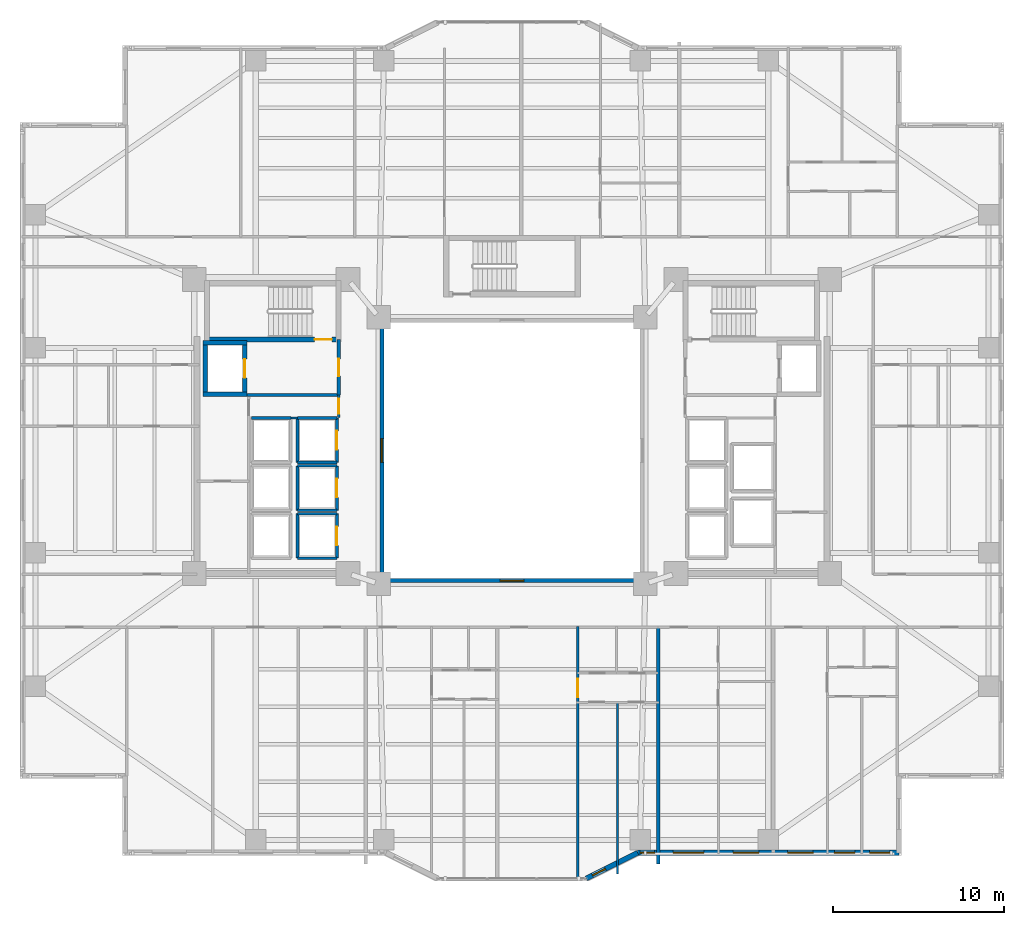
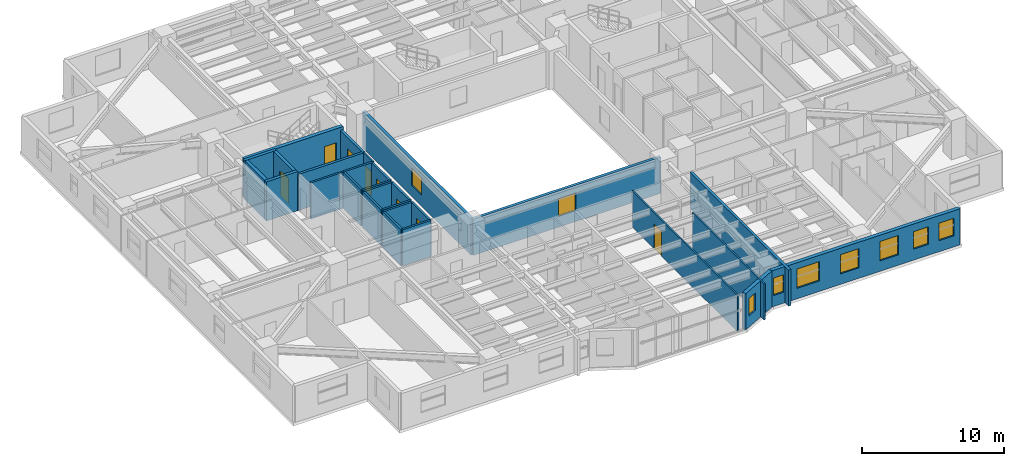
# One storey, part 11 of 21: 29 walls, 9 windows, 8 doors, 17 openings.
"""IFC4 building model written with IfcOpenShell, lengths in metres."""

from ifc_helpers import new_model, si_unit, direction, frame, frame_2d, origin, place, context, subcontext, project, spatial, rectangle, extrude, material, layer, layer_set, type_object, element, fill, save


model = new_model("IFC4")

# Units and contexts
model_context = context("Model", 3, precision=1e-05, world=origin(), true_north=direction((0.0, 1.0)))
body_context = subcontext(model_context, "Body", "Model", "MODEL_VIEW")
ifc_project = project(units=[si_unit("LENGTHUNIT", "METRE"), si_unit("AREAUNIT", "SQUARE_METRE"), si_unit("VOLUMEUNIT", "CUBIC_METRE"), si_unit("PLANEANGLEUNIT", "RADIAN"), si_unit("MASSUNIT", "GRAM", prefix="KILO")], contexts=[model_context])

# Site, building, storey
site_placement = place(None, origin())
site = spatial("IfcSite", under=ifc_project, at=site_placement, CompositionType="ELEMENT")
building_placement = place(site_placement, origin())
building = spatial("IfcBuilding", under=site, at=building_placement, Name="Tarnavaz Court Tower", CompositionType="ELEMENT")
storey_placement = place(building_placement, frame((0.0, 0.0, 47.449951171875)))
storey = spatial("IfcBuildingStorey", under=building, at=storey_placement, Name="L12", CompositionType="ELEMENT", Elevation=47.449951171875)

# Wall
ifc_material_1 = material(Name="Concrete C60/75", Category="concrete")
ifc_layer_1 = layer(ifc_material_1, 0.25)
ifc_layer_set_1 = layer_set([ifc_layer_1], Name="Concrete C60/75")
wall_type_1 = type_object("IfcWallType", Name="WL-CORE-250-C60", PredefinedType="SHEAR", material=ifc_layer_set_1)
wall_1_placement = place(storey_placement, frame((-17.949951171875, 3.175048828125, 0.0), z_axis=(0.0, 0.0, 1.0), x_axis=(0.0, 1.0, 0.0)))
element("IfcWall", 1, at=wall_1_placement, inside=storey, type_object=wall_type_1, Name="L12 Lift FL-W1 Shaft Wall 017", PredefinedType="SHEAR", context=body_context, shape_type="SweptSolid", body=[
    extrude(rectangle(XDim=3.25, YDim=0.25, at=frame_2d((1.625, 0.0))), origin(), (0.0, 0.0, 1.0), 3.35009765625),
])

# Wall, opening, door
wall_2_placement = place(storey_placement, frame((-15.64990234375, 3.175048828125, 0.0), z_axis=(0.0, 0.0, 1.0), x_axis=(0.0, 1.0, 0.0)))
wall_2 = element("IfcWall", 2, at=wall_2_placement, inside=storey, type_object=wall_type_1, Name="L12 Lift FL-W1 Shaft Wall 018", PredefinedType="SHEAR", context=body_context, shape_type="SweptSolid", body=[
    extrude(rectangle(XDim=3.25, YDim=0.25, at=frame_2d((1.625, 0.0))), origin(), (0.0, 0.0, 1.0), 3.35009765625),
])
opening_1_placement = place(wall_2_placement, frame((1.074951171875, 0.0, 0.0)))
opening_1 = element("IfcOpeningElement", 3, at=opening_1_placement, cuts=wall_2, Name="Opening LD1", PredefinedType="OPENING", context=body_context, shape_type="SweptSolid", body=[
    extrude(rectangle(XDim=1.10009765625, YDim=2.14990234375, at=frame_2d((0.550048828125, 1.074951171875))), frame((0.0, 0.135009765625, 0.0), z_axis=(0.0, -1.0, 0.0), x_axis=(1.0, 0.0, 0.0)), (0.0, 0.0, 1.0), 0.27001953125),
])
ifc_material_2 = material(Name="Stainless Steel", Category="steel")
door_type_1 = type_object("IfcDoorType", Name="DR-LD-1100", OperationType="NOTDEFINED", PredefinedType="DOOR", material=ifc_material_2)
door_1_placement = place(opening_1_placement, origin())
door_1 = element("IfcDoor", 4, at=door_1_placement, inside=storey, type_object=door_type_1, Name="L12 Lift Landing Door LD-FL-W1", OperationType="SLIDING_TO_LEFT", OverallHeight=2.14990234375, OverallWidth=1.10009765625, PredefinedType="DOOR", context=body_context, shape_type="SweptSolid", body=[
    extrude(rectangle(XDim=1.10009765625, YDim=2.14990234375, at=frame_2d((0.550048828125, 1.074951171875))), frame((0.0, 0.02490234375, 0.0), z_axis=(0.0, -1.0, 0.0), x_axis=(1.0, 0.0, 0.0)), (0.0, 0.0, 1.0), 0.050048828125),
])
fill(opening_1, door_1)

# Walls
for number, where, z_axis, x_axis, name in (
    (5, (-18.074951171875, 3.300048828125, 0.0), (0.0, 0.0, 1.0), (1.0, 0.0, 0.0), "L12 Lift FL-W1 Shaft Wall 019"),
    (6, (-18.074951171875, 6.300048828125, 0.0), (0.0, 0.0, 1.0), (1.0, 0.0, 0.0), "L12 Lift FL-W1 Shaft Wall 020"),
):
    element("IfcWall", number, at=place(storey_placement, frame(where, z_axis=z_axis, x_axis=x_axis)), inside=storey, type_object=wall_type_1, Name=name, PredefinedType="SHEAR", context=body_context, shape_type="SweptSolid", body=[
        extrude(rectangle(XDim=2.550048828125, YDim=0.25, at=frame_2d((1.27490234375, 0.0))), origin(), (0.0, 0.0, 1.0), 3.35009765625),
    ])

# Wall, opening, door
ifc_layer_2 = layer(ifc_material_1, 0.300048828125)
ifc_layer_set_2 = layer_set([ifc_layer_2], Name="Concrete C60/75")
wall_type_2 = type_object("IfcWallType", Name="WL-CORE-300-C60", PredefinedType="SHEAR", material=ifc_layer_set_2)
wall_3_placement = place(storey_placement, frame((-18.0, 6.5, 0.0), z_axis=(0.0, 0.0, 1.0), x_axis=(1.0, 0.0, 0.0)))
wall_3 = element("IfcWall", 7, at=wall_3_placement, inside=storey, type_object=wall_type_2, Name="L12 West Stair Core Wall 002", PredefinedType="SHEAR", context=body_context, shape_type="SweptSolid", body=[
    extrude(rectangle(XDim=8.0, YDim=0.300048828125, at=frame_2d((4.0, 0.0))), origin(), (0.0, 0.0, 1.0), 3.35009765625),
])
opening_2_placement = place(wall_3_placement, frame((6.449951171875, 0.0, 0.0)))
opening_2 = element("IfcOpeningElement", 8, at=opening_2_placement, cuts=wall_3, Name="Opening D01", PredefinedType="OPENING", context=body_context, shape_type="SweptSolid", body=[
    extrude(rectangle(XDim=1.0, YDim=2.14990234375, at=frame_2d((0.5, 1.074951171875))), frame((0.0, 0.159912109375, 0.0), z_axis=(0.0, -1.0, 0.0), x_axis=(1.0, 0.0, 0.0)), (0.0, 0.0, 1.0), 0.320068359375),
])
ifc_material_3 = material(Name="Fire-Rated Hardwood Timber Core", Category="wood")
door_type_2 = type_object("IfcDoorType", Name="DR-FD90-1000", OperationType="NOTDEFINED", PredefinedType="DOOR", material=ifc_material_3)
door_2_placement = place(opening_2_placement, origin())
door_2 = element("IfcDoor", 9, at=door_2_placement, inside=storey, type_object=door_type_2, Name="L12 Stair ST-W1 Exit Door", OperationType="SINGLE_SWING_LEFT", OverallHeight=2.14990234375, OverallWidth=1.0, PredefinedType="DOOR", context=body_context, shape_type="SweptSolid", body=[
    extrude(rectangle(XDim=1.0, YDim=2.14990234375, at=frame_2d((0.5, 1.074951171875))), frame((0.0, 0.02490234375, 0.0), z_axis=(0.0, -1.0, 0.0), x_axis=(1.0, 0.0, 0.0)), (0.0, 0.0, 1.0), 0.050048828125),
])
fill(opening_2, door_2)

# Wall, openings, windows
ifc_material_4 = material(Name="Precast Concrete C40/50", Category="concrete")
ifc_layer_3 = layer(ifc_material_4, 0.300048828125)
ifc_layer_set_3 = layer_set([ifc_layer_3], Name="Precast Concrete C40/50")
wall_type_3 = type_object("IfcWallType", Name="WL-EXT-300", PredefinedType="SOLIDWALL", material=ifc_layer_set_3)
wall_4_placement = place(storey_placement, frame((22.64990234375, -23.550048828125, 0.0), z_axis=(0.0, 0.0, 1.0), x_axis=(-1.0, 0.0, 0.0)))
wall_4 = element("IfcWall", 10, at=wall_4_placement, inside=storey, type_object=wall_type_3, Name="L12 Exterior Terracotta Facade Wall 15", PredefinedType="SOLIDWALL", context=body_context, shape_type="SweptSolid", body=[
    extrude(rectangle(XDim=15.2998046875, YDim=0.300048828125, at=frame_2d((7.64990234375, 0.0))), origin(), (0.0, 0.0, 1.0), 3.10009765625),
])
opening_3_placement = place(wall_4_placement, frame((0.5087890625, 0.0, 0.949951171875)))
opening_3 = element("IfcOpeningElement", 11, at=opening_3_placement, cuts=wall_4, Name="Opening W05", PredefinedType="OPENING", context=body_context, shape_type="SweptSolid", body=[
    extrude(rectangle(XDim=1.199951171875, YDim=1.5, at=frame_2d((0.60009765625, 0.75))), frame((0.0, 0.159912109375, 0.0), z_axis=(0.0, -1.0, 0.0), x_axis=(1.0, 0.0, 0.0)), (0.0, 0.0, 1.0), 0.320068359375),
])
opening_4_placement = place(wall_4_placement, frame((2.58544921875, 0.0, 0.949951171875)))
opening_4 = element("IfcOpeningElement", 12, at=opening_4_placement, cuts=wall_4, Name="Opening W05", PredefinedType="OPENING", context=body_context, shape_type="SweptSolid", body=[
    extrude(rectangle(XDim=1.199951171875, YDim=1.5, at=frame_2d((0.60009765625, 0.75))), frame((0.0, 0.159912109375, 0.0), z_axis=(0.0, -1.0, 0.0), x_axis=(1.0, 0.0, 0.0)), (0.0, 0.0, 1.0), 0.320068359375),
])
opening_5_placement = place(wall_4_placement, frame((5.018798828125, 0.0, 0.89990234375)))
opening_5 = element("IfcOpeningElement", 13, at=opening_5_placement, cuts=wall_4, Name="Opening W03", PredefinedType="OPENING", context=body_context, shape_type="SweptSolid", body=[
    extrude(rectangle(XDim=1.5, YDim=1.64990234375, at=frame_2d((0.75, 0.824951171875))), frame((0.0, 0.159912109375, 0.0), z_axis=(0.0, -1.0, 0.0), x_axis=(1.0, 0.0, 0.0)), (0.0, 0.0, 1.0), 0.320068359375),
])
opening_6_placement = place(wall_4_placement, frame((8.204345703125, 0.0, 0.89990234375)))
opening_6 = element("IfcOpeningElement", 14, at=opening_6_placement, cuts=wall_4, Name="Opening W03", PredefinedType="OPENING", context=body_context, shape_type="SweptSolid", body=[
    extrude(rectangle(XDim=1.5, YDim=1.64990234375, at=frame_2d((0.75, 0.824951171875))), frame((0.0, 0.159912109375, 0.0), z_axis=(0.0, -1.0, 0.0), x_axis=(1.0, 0.0, 0.0)), (0.0, 0.0, 1.0), 0.320068359375),
])
opening_7_placement = place(wall_4_placement, frame((11.415283203125, 0.0, 0.89990234375)))
opening_7 = element("IfcOpeningElement", 15, at=opening_7_placement, cuts=wall_4, Name="Opening W01", PredefinedType="OPENING", context=body_context, shape_type="SweptSolid", body=[
    extrude(rectangle(XDim=1.800048828125, YDim=1.64990234375, at=frame_2d((0.89990234375, 0.824951171875))), frame((0.0, 0.159912109375, 0.0), z_axis=(0.0, -1.0, 0.0), x_axis=(1.0, 0.0, 0.0)), (0.0, 0.0, 1.0), 0.320068359375),
])
opening_8_placement = place(wall_4_placement, frame((14.30322265625, 0.0, 0.949951171875)))
opening_8 = element("IfcOpeningElement", 16, at=opening_8_placement, cuts=wall_4, Name="Opening W15", PredefinedType="OPENING", context=body_context, shape_type="SweptSolid", body=[
    extrude(rectangle(XDim=0.85009765625, YDim=1.5, at=frame_2d((0.425048828125, 0.75))), frame((0.0, 0.159912109375, 0.0), z_axis=(0.0, -1.0, 0.0), x_axis=(1.0, 0.0, 0.0)), (0.0, 0.0, 1.0), 0.320068359375),
])
ifc_material_5 = material(Name="Double-Glazed Solar Low-E Glass", Category="glass")
window_type_1 = type_object("IfcWindowType", Name="WN-APT-1200", PartitioningType="SINGLE_PANEL", PredefinedType="WINDOW", material=ifc_material_5)
window_1_placement = place(opening_3_placement, origin())
window_1 = element("IfcWindow", 17, at=window_1_placement, inside=storey, type_object=window_type_1, Name="L12 Flat 04 Bedroom 2 Window", OverallHeight=1.5, OverallWidth=1.199951171875, PartitioningType="SINGLE_PANEL", PredefinedType="WINDOW", context=body_context, shape_type="SweptSolid", body=[
    extrude(rectangle(XDim=1.199951171875, YDim=1.5, at=frame_2d((0.60009765625, 0.75))), frame((0.0, 0.030029296875, 0.0), z_axis=(0.0, -1.0, 0.0), x_axis=(1.0, 0.0, 0.0)), (0.0, 0.0, 1.0), 0.06005859375),
])
fill(opening_3, window_1)
window_2_placement = place(opening_4_placement, origin())
window_2 = element("IfcWindow", 18, at=window_2_placement, inside=storey, type_object=window_type_1, Name="L12 Flat 04 Principal Bedroom Window", OverallHeight=1.5, OverallWidth=1.199951171875, PartitioningType="SINGLE_PANEL", PredefinedType="WINDOW", context=body_context, shape_type="SweptSolid", body=[
    extrude(rectangle(XDim=1.199951171875, YDim=1.5, at=frame_2d((0.60009765625, 0.75))), frame((0.0, 0.030029296875, 0.0), z_axis=(0.0, -1.0, 0.0), x_axis=(1.0, 0.0, 0.0)), (0.0, 0.0, 1.0), 0.06005859375),
])
fill(opening_4, window_2)
window_type_2 = type_object("IfcWindowType", Name="WN-APT-1500", PartitioningType="DOUBLE_PANEL_VERTICAL", PredefinedType="WINDOW", material=ifc_material_5)
window_3_placement = place(opening_5_placement, origin())
window_3 = element("IfcWindow", 19, at=window_3_placement, inside=storey, type_object=window_type_2, Name="L12 Flat 04 Living and Dining Room Window", OverallHeight=1.64990234375, OverallWidth=1.5, PartitioningType="SINGLE_PANEL", PredefinedType="WINDOW", context=body_context, shape_type="SweptSolid", body=[
    extrude(rectangle(XDim=1.5, YDim=1.64990234375, at=frame_2d((0.75, 0.824951171875))), frame((0.0, 0.030029296875, 0.0), z_axis=(0.0, -1.0, 0.0), x_axis=(1.0, 0.0, 0.0)), (0.0, 0.0, 1.0), 0.06005859375),
])
fill(opening_5, window_3)
window_4_placement = place(opening_6_placement, origin())
window_4 = element("IfcWindow", 20, at=window_4_placement, inside=storey, type_object=window_type_2, Name="L12 Flat 03 Kitchen Window", OverallHeight=1.64990234375, OverallWidth=1.5, PartitioningType="SINGLE_PANEL", PredefinedType="WINDOW", context=body_context, shape_type="SweptSolid", body=[
    extrude(rectangle(XDim=1.5, YDim=1.64990234375, at=frame_2d((0.75, 0.824951171875))), frame((0.0, 0.030029296875, 0.0), z_axis=(0.0, -1.0, 0.0), x_axis=(1.0, 0.0, 0.0)), (0.0, 0.0, 1.0), 0.06005859375),
])
fill(opening_6, window_4)
window_type_3 = type_object("IfcWindowType", Name="WN-APT-1800", PartitioningType="DOUBLE_PANEL_VERTICAL", PredefinedType="WINDOW", material=ifc_material_5)
window_5_placement = place(opening_7_placement, origin())
window_5 = element("IfcWindow", 21, at=window_5_placement, inside=storey, type_object=window_type_3, Name="L12 Flat 03 Studio Living and Sleeping Room Window", OverallHeight=1.64990234375, OverallWidth=1.800048828125, PartitioningType="SINGLE_PANEL", PredefinedType="WINDOW", context=body_context, shape_type="SweptSolid", body=[
    extrude(rectangle(XDim=1.800048828125, YDim=1.64990234375, at=frame_2d((0.89990234375, 0.824951171875))), frame((0.0, 0.030029296875, 0.0), z_axis=(0.0, -1.0, 0.0), x_axis=(1.0, 0.0, 0.0)), (0.0, 0.0, 1.0), 0.06005859375),
])
fill(opening_7, window_5)
window_type_4 = type_object("IfcWindowType", Name="WN-APT-850", PartitioningType="SINGLE_PANEL", PredefinedType="WINDOW", material=ifc_material_5)
window_6_placement = place(opening_8_placement, origin())
window_6 = element("IfcWindow", 22, at=window_6_placement, inside=storey, type_object=window_type_4, Name="L12 Flat 06 Bedroom 2 Window", OverallHeight=1.5, OverallWidth=0.85009765625, PartitioningType="SINGLE_PANEL", PredefinedType="WINDOW", context=body_context, shape_type="SweptSolid", body=[
    extrude(rectangle(XDim=0.85009765625, YDim=1.5, at=frame_2d((0.425048828125, 0.75))), frame((0.0, 0.030029296875, 0.0), z_axis=(0.0, -1.0, 0.0), x_axis=(1.0, 0.0, 0.0)), (0.0, 0.0, 1.0), 0.06005859375),
])
fill(opening_8, window_6)

# Wall, opening, window
wall_5_placement = place(storey_placement, frame((7.35009765625, -23.550048828125, 0.0), z_axis=(0.0, 0.0, 1.0), x_axis=(-0.894427191, -0.4472135955, 0.0)))
wall_5 = element("IfcWall", 23, at=wall_5_placement, inside=storey, type_object=wall_type_3, Name="L12 Exterior Terracotta Facade Wall 16", PredefinedType="SOLIDWALL", context=body_context, shape_type="SweptSolid", body=[
    extrude(rectangle(XDim=3.35400390625, YDim=0.300048828125, at=frame_2d((1.677001953125, 0.0))), origin(), (0.0, 0.0, 1.0), 3.10009765625),
])
opening_9_placement = place(wall_5_placement, frame((2.102783203125, 0.0, 0.949951171875)))
opening_9 = element("IfcOpeningElement", 24, at=opening_9_placement, cuts=wall_5, Name="Opening W15", PredefinedType="OPENING", context=body_context, shape_type="SweptSolid", body=[
    extrude(rectangle(XDim=0.85009765625, YDim=1.5, at=frame_2d((0.425048828125, 0.75))), frame((0.0, 0.159912109375, 0.0), z_axis=(0.0, -1.0, 0.0), x_axis=(1.0, 0.0, 0.0)), (0.0, 0.0, 1.0), 0.320068359375),
])
window_7_placement = place(opening_9_placement, origin())
window_7 = element("IfcWindow", 25, at=window_7_placement, inside=storey, type_object=window_type_4, Name="L12 Flat 06 Principal Bedroom Window", OverallHeight=1.5, OverallWidth=0.85009765625, PartitioningType="SINGLE_PANEL", PredefinedType="WINDOW", context=body_context, shape_type="SweptSolid", body=[
    extrude(rectangle(XDim=0.85009765625, YDim=1.5, at=frame_2d((0.425048828125, 0.75))), frame((0.0, 0.030029296875, 0.0), z_axis=(0.0, -1.0, 0.0), x_axis=(1.0, 0.0, 0.0)), (0.0, 0.0, 1.0), 0.06005859375),
])
fill(opening_9, window_7)

# Wall
ifc_material_6 = material(Name="Autoclaved Aerated Concrete Blockwork", Category="masonry")
ifc_layer_4 = layer(ifc_material_6, 0.199951171875)
ifc_layer_set_4 = layer_set([ifc_layer_4], Name="Autoclaved Aerated Concrete Blockwork")
wall_type_4 = type_object("IfcWallType", Name="WL-FIRE-200", PredefinedType="SOLIDWALL", material=ifc_layer_set_4)
wall_6_placement = place(storey_placement, frame((-15.550048828125, 3.25, 0.0), z_axis=(0.0, 0.0, 1.0), x_axis=(1.0, 0.0, 0.0)))
element("IfcWall", 26, at=wall_6_placement, inside=storey, type_object=wall_type_4, Name="L12 West Firefighting Lobby Wall 013", PredefinedType="SOLIDWALL", context=body_context, shape_type="SweptSolid", body=[
    extrude(rectangle(XDim=5.400146484375, YDim=0.199951171875, at=frame_2d((2.7001953125, 0.0))), origin(), (0.0, 0.0, 1.0), 3.10009765625),
])

# Wall, opening, door
wall_7_placement = place(storey_placement, frame((-10.14990234375, 3.25, 0.0), z_axis=(0.0, 0.0, 1.0), x_axis=(0.0, 1.0, 0.0)))
wall_7 = element("IfcWall", 27, at=wall_7_placement, inside=storey, type_object=wall_type_4, Name="L12 West Firefighting Lobby Wall 014", PredefinedType="SOLIDWALL", context=body_context, shape_type="SweptSolid", body=[
    extrude(rectangle(XDim=3.25, YDim=0.199951171875, at=frame_2d((1.625, 0.0))), origin(), (0.0, 0.0, 1.0), 3.10009765625),
])
opening_10_placement = place(wall_7_placement, frame((1.10009765625, 0.0, 0.0)))
opening_10 = element("IfcOpeningElement", 28, at=opening_10_placement, cuts=wall_7, Name="Opening D05", PredefinedType="OPENING", context=body_context, shape_type="SweptSolid", body=[
    extrude(rectangle(XDim=1.02001953125, YDim=2.14990234375, at=frame_2d((0.510009765625, 1.074951171875))), frame((0.0, 0.10986328125, 0.0), z_axis=(0.0, -1.0, 0.0), x_axis=(1.0, 0.0, 0.0)), (0.0, 0.0, 1.0), 0.219970703125),
])
door_type_3 = type_object("IfcDoorType", Name="DR-FD60-1000", OperationType="NOTDEFINED", PredefinedType="DOOR", material=ifc_material_3)
door_3_placement = place(opening_10_placement, origin())
door_3 = element("IfcDoor", 29, at=door_3_placement, inside=storey, type_object=door_type_3, Name="L12 West Firefighting Lobby Door", OperationType="SINGLE_SWING_RIGHT", OverallHeight=2.14990234375, OverallWidth=1.02001953125, PredefinedType="DOOR", context=body_context, shape_type="SweptSolid", body=[
    extrude(rectangle(XDim=1.02001953125, YDim=2.14990234375, at=frame_2d((0.510009765625, 1.074951171875))), frame((0.0, 0.02490234375, 0.0), z_axis=(0.0, -1.0, 0.0), x_axis=(1.0, 0.0, 0.0)), (0.0, 0.0, 1.0), 0.050048828125),
])
fill(opening_10, door_3)

# Wall
wall_8_placement = place(storey_placement, frame((8.550048828125, -24.2041015625, 0.0), z_axis=(0.0, 0.0, 1.0), x_axis=(0.0, 1.0, 0.0)))
element("IfcWall", 30, at=wall_8_placement, inside=storey, type_object=wall_type_4, Name="L12 Party Wall 114", PredefinedType="SOLIDWALL", context=body_context, shape_type="SweptSolid", body=[
    extrude(rectangle(XDim=13.85400390625, YDim=0.199951171875, at=frame_2d((6.927001953125, 0.0))), origin(), (0.0, 0.0, 1.0), 3.10009765625),
])

# Wall, opening, door
ifc_material_7 = material(Name="Moisture-Resistant Gypsum Board Partition", Category="masonry")
ifc_layer_5 = layer(ifc_material_7, 0.1201171875)
ifc_layer_set_5 = layer_set([ifc_layer_5], Name="Moisture-Resistant Gypsum Board Partition")
wall_type_5 = type_object("IfcWallType", Name="WL-PART-120", PredefinedType="PARTITIONING", material=ifc_layer_set_5)
wall_9_placement = place(storey_placement, frame((3.847900390625, -25.080078125, 0.0), z_axis=(0.0, 0.0, 1.0), x_axis=(0.0, 1.0, 0.0)))
wall_9 = element("IfcWall", 31, at=wall_9_placement, inside=storey, type_object=wall_type_5, Name="L12 Interior Partition 122", PredefinedType="PARTITIONING", context=body_context, shape_type="SweptSolid", body=[
    extrude(rectangle(XDim=14.7900390625, YDim=0.1201171875, at=frame_2d((7.39501953125, 0.0))), origin(), (0.0, 0.0, 1.0), 3.10009765625),
])
opening_11_placement = place(wall_9_placement, frame((10.625, 0.0, 0.0)))
opening_11 = element("IfcOpeningElement", 32, at=opening_11_placement, cuts=wall_9, Name="Opening D12", PredefinedType="OPENING", context=body_context, shape_type="SweptSolid", body=[
    extrude(rectangle(XDim=1.080078125, YDim=2.14990234375, at=frame_2d((0.5400390625, 1.074951171875))), frame((0.0, 0.070068359375, 0.0), z_axis=(0.0, -1.0, 0.0), x_axis=(1.0, 0.0, 0.0)), (0.0, 0.0, 1.0), 0.14013671875),
])
ifc_material_8 = material(Name="Engineered Oak Timber", Category="wood")
door_type_4 = type_object("IfcDoorType", Name="DR-INT-1100", OperationType="NOTDEFINED", PredefinedType="DOOR", material=ifc_material_8)
door_4_placement = place(opening_11_placement, origin())
door_4 = element("IfcDoor", 33, at=door_4_placement, inside=storey, type_object=door_type_4, Name="L12 Flat 06 Foyer Door", OperationType="SINGLE_SWING_LEFT", OverallHeight=2.14990234375, OverallWidth=1.080078125, PredefinedType="DOOR", context=body_context, shape_type="SweptSolid", body=[
    extrude(rectangle(XDim=1.080078125, YDim=2.14990234375, at=frame_2d((0.5400390625, 1.074951171875))), frame((0.0, 0.02490234375, 0.0), z_axis=(0.0, -1.0, 0.0), x_axis=(1.0, 0.0, 0.0)), (0.0, 0.0, 1.0), 0.050048828125),
])
fill(opening_11, door_4)

# Walls
wall_10_placement = place(storey_placement, frame((6.1689453125, -24.7919921875, 0.0), z_axis=(0.0, 0.0, 1.0), x_axis=(0.0, 1.0, 0.0)))
element("IfcWall", 34, at=wall_10_placement, inside=storey, type_object=wall_type_5, Name="L12 Interior Partition 127", PredefinedType="PARTITIONING", context=body_context, shape_type="SweptSolid", body=[
    extrude(rectangle(XDim=10.112060546875, YDim=0.1201171875, at=frame_2d((5.05615234375, 0.0))), origin(), (0.0, 0.0, 1.0), 3.10009765625),
])
ifc_material_9 = material(Name="Gypsum Plasterboard Acoustic Partition", Category="masonry")
ifc_layer_6 = layer(ifc_material_9, 0.139892578125)
ifc_layer_set_6 = layer_set([ifc_layer_6], Name="Gypsum Plasterboard Acoustic Partition")
wall_type_6 = type_object("IfcWallType", Name="WL-PART-150", PredefinedType="PARTITIONING", material=ifc_layer_set_6)
wall_11_placement = place(storey_placement, frame((-12.949951171875, 1.89990234375, 0.0), z_axis=(0.0, 0.0, 1.0), x_axis=(1.0, 0.0, 0.0)))
element("IfcWall", 35, at=wall_11_placement, inside=storey, type_object=wall_type_6, Name="L12 Interior Partition 073", PredefinedType="PARTITIONING", context=body_context, shape_type="SweptSolid", body=[
    extrude(rectangle(XDim=0.39990234375, YDim=0.139892578125, at=frame_2d((0.199951171875, 0.0))), origin(), (0.0, 0.0, 1.0), 3.10009765625),
])

# Wall, opening, door
wall_12_placement = place(storey_placement, frame((-10.14990234375, 1.919921875, 0.0), z_axis=(0.0, 0.0, 1.0), x_axis=(0.0, 1.0, 0.0)))
wall_12 = element("IfcWall", 36, at=wall_12_placement, inside=storey, type_object=wall_type_6, Name="L12 Interior Partition 074", PredefinedType="PARTITIONING", context=body_context, shape_type="SweptSolid", body=[
    extrude(rectangle(XDim=1.330078125, YDim=0.139892578125, at=frame_2d((0.6650390625, 0.0))), origin(), (0.0, 0.0, 1.0), 3.10009765625),
])
opening_12_placement = place(wall_12_placement, frame((0.219970703125, 0.0, 0.0)))
opening_12 = element("IfcOpeningElement", 37, at=opening_12_placement, cuts=wall_12, Name="Opening D09", PredefinedType="OPENING", context=body_context, shape_type="SweptSolid", body=[
    extrude(rectangle(XDim=0.89990234375, YDim=2.080078125, at=frame_2d((0.449951171875, 1.0400390625))), frame((0.0, 0.079833984375, 0.0), z_axis=(0.0, -1.0, 0.0), x_axis=(1.0, 0.0, 0.0)), (0.0, 0.0, 1.0), 0.159912109375),
])
door_type_5 = type_object("IfcDoorType", Name="DR-FD30-900", OperationType="NOTDEFINED", PredefinedType="DOOR", material=ifc_material_3)
door_5_placement = place(opening_12_placement, origin())
door_5 = element("IfcDoor", 38, at=door_5_placement, inside=storey, type_object=door_type_5, Name="L12 West Core Service Lobby Door", OperationType="SINGLE_SWING_LEFT", OverallHeight=2.080078125, OverallWidth=0.89990234375, PredefinedType="DOOR", context=body_context, shape_type="SweptSolid", body=[
    extrude(rectangle(XDim=0.89990234375, YDim=2.080078125, at=frame_2d((0.449951171875, 1.0400390625))), frame((0.0, 0.02490234375, 0.0), z_axis=(0.0, -1.0, 0.0), x_axis=(1.0, 0.0, 0.0)), (0.0, 0.0, 1.0), 0.050048828125),
])
fill(opening_12, door_5)

# Wall
ifc_layer_7 = layer(ifc_material_6, 0.159912109375)
ifc_layer_set_7 = layer_set([ifc_layer_7], Name="Autoclaved Aerated Concrete Blockwork")
wall_type_7 = type_object("IfcWallType", Name="WL-SHAFT-150", PredefinedType="SOLIDWALL", material=ifc_layer_set_7)
wall_13_placement = place(storey_placement, frame((-12.550048828125, -6.300048828125, 0.0), z_axis=(0.0, 0.0, 1.0), x_axis=(0.0, 1.0, 0.0)))
element("IfcWall", 39, at=wall_13_placement, inside=storey, type_object=wall_type_7, Name="L12 Lift PL-L1 Shaft Wall 021", PredefinedType="SOLIDWALL", context=body_context, shape_type="SweptSolid", body=[
    extrude(rectangle(XDim=2.60009765625, YDim=0.159912109375, at=frame_2d((1.300048828125, 0.0))), origin(), (0.0, 0.0, 1.0), 3.10009765625),
])

# Wall, opening, door
wall_14_placement = place(storey_placement, frame((-10.25, -6.300048828125, 0.0), z_axis=(0.0, 0.0, 1.0), x_axis=(0.0, 1.0, 0.0)))
wall_14 = element("IfcWall", 40, at=wall_14_placement, inside=storey, type_object=wall_type_7, Name="L12 Lift PL-L1 Shaft Wall 022", PredefinedType="SOLIDWALL", context=body_context, shape_type="SweptSolid", body=[
    extrude(rectangle(XDim=2.60009765625, YDim=0.159912109375, at=frame_2d((1.300048828125, 0.0))), origin(), (0.0, 0.0, 1.0), 3.10009765625),
])
opening_13_placement = place(wall_14_placement, frame((0.75, 0.0, 0.0)))
opening_13 = element("IfcOpeningElement", 41, at=opening_13_placement, cuts=wall_14, Name="Opening LD1", PredefinedType="OPENING", context=body_context, shape_type="SweptSolid", body=[
    extrude(rectangle(XDim=1.10009765625, YDim=2.14990234375, at=frame_2d((0.550048828125, 1.074951171875))), frame((0.0, 0.08984375, 0.0), z_axis=(0.0, -1.0, 0.0), x_axis=(1.0, 0.0, 0.0)), (0.0, 0.0, 1.0), 0.179931640625),
])
door_6_placement = place(opening_13_placement, origin())
door_6 = element("IfcDoor", 42, at=door_6_placement, inside=storey, type_object=door_type_1, Name="L12 Lift Landing Door LD-PL-L1", OperationType="SLIDING_TO_LEFT", OverallHeight=2.14990234375, OverallWidth=1.10009765625, PredefinedType="DOOR", context=body_context, shape_type="SweptSolid", body=[
    extrude(rectangle(XDim=1.10009765625, YDim=2.14990234375, at=frame_2d((0.550048828125, 1.074951171875))), frame((0.0, 0.02490234375, 0.0), z_axis=(0.0, -1.0, 0.0), x_axis=(1.0, 0.0, 0.0)), (0.0, 0.0, 1.0), 0.050048828125),
])
fill(opening_13, door_6)

# Walls
for number, where, z_axis, x_axis, name in (
    (43, (-12.550048828125, -6.300048828125, 0.0), (0.0, 0.0, 1.0), (1.0, 0.0, 0.0), "L12 Lift PL-L1 Shaft Wall 023"),
    (44, (-12.550048828125, -3.699951171875, 0.0), (0.0, 0.0, 1.0), (1.0, 0.0, 0.0), "L12 Lift PL-L1 Shaft Wall 024"),
):
    element("IfcWall", number, at=place(storey_placement, frame(where, z_axis=z_axis, x_axis=x_axis)), inside=storey, type_object=wall_type_7, Name=name, PredefinedType="SOLIDWALL", context=body_context, shape_type="SweptSolid", body=[
        extrude(rectangle(XDim=2.300048828125, YDim=0.159912109375, at=frame_2d((1.14990234375, 0.0))), origin(), (0.0, 0.0, 1.0), 3.10009765625),
    ])
wall_15_placement = place(storey_placement, frame((-12.550048828125, -3.5, 0.0), z_axis=(0.0, 0.0, 1.0), x_axis=(0.0, 1.0, 0.0)))
element("IfcWall", 45, at=wall_15_placement, inside=storey, type_object=wall_type_7, Name="L12 Lift PL-L2 Shaft Wall 025", PredefinedType="SOLIDWALL", context=body_context, shape_type="SweptSolid", body=[
    extrude(rectangle(XDim=2.60009765625, YDim=0.159912109375, at=frame_2d((1.300048828125, 0.0))), origin(), (0.0, 0.0, 1.0), 3.10009765625),
])

# Wall, opening, door
wall_16_placement = place(storey_placement, frame((-10.25, -3.5, 0.0), z_axis=(0.0, 0.0, 1.0), x_axis=(0.0, 1.0, 0.0)))
wall_16 = element("IfcWall", 46, at=wall_16_placement, inside=storey, type_object=wall_type_7, Name="L12 Lift PL-L2 Shaft Wall 026", PredefinedType="SOLIDWALL", context=body_context, shape_type="SweptSolid", body=[
    extrude(rectangle(XDim=2.60009765625, YDim=0.159912109375, at=frame_2d((1.300048828125, 0.0))), origin(), (0.0, 0.0, 1.0), 3.10009765625),
])
opening_14_placement = place(wall_16_placement, frame((0.75, 0.0, 0.0)))
opening_14 = element("IfcOpeningElement", 47, at=opening_14_placement, cuts=wall_16, Name="Opening LD1", PredefinedType="OPENING", context=body_context, shape_type="SweptSolid", body=[
    extrude(rectangle(XDim=1.10009765625, YDim=2.14990234375, at=frame_2d((0.550048828125, 1.074951171875))), frame((0.0, 0.08984375, 0.0), z_axis=(0.0, -1.0, 0.0), x_axis=(1.0, 0.0, 0.0)), (0.0, 0.0, 1.0), 0.179931640625),
])
door_7_placement = place(opening_14_placement, origin())
door_7 = element("IfcDoor", 48, at=door_7_placement, inside=storey, type_object=door_type_1, Name="L12 Lift Landing Door LD-PL-L2", OperationType="SLIDING_TO_LEFT", OverallHeight=2.14990234375, OverallWidth=1.10009765625, PredefinedType="DOOR", context=body_context, shape_type="SweptSolid", body=[
    extrude(rectangle(XDim=1.10009765625, YDim=2.14990234375, at=frame_2d((0.550048828125, 1.074951171875))), frame((0.0, 0.02490234375, 0.0), z_axis=(0.0, -1.0, 0.0), x_axis=(1.0, 0.0, 0.0)), (0.0, 0.0, 1.0), 0.050048828125),
])
fill(opening_14, door_7)

# Walls
for number, where, z_axis, x_axis, name in (
    (49, (-12.550048828125, -3.5, 0.0), (0.0, 0.0, 1.0), (1.0, 0.0, 0.0), "L12 Lift PL-L2 Shaft Wall 027"),
    (50, (-12.550048828125, -0.89990234375, 0.0), (0.0, 0.0, 1.0), (1.0, 0.0, 0.0), "L12 Lift PL-L2 Shaft Wall 028"),
):
    element("IfcWall", number, at=place(storey_placement, frame(where, z_axis=z_axis, x_axis=x_axis)), inside=storey, type_object=wall_type_7, Name=name, PredefinedType="SOLIDWALL", context=body_context, shape_type="SweptSolid", body=[
        extrude(rectangle(XDim=2.300048828125, YDim=0.159912109375, at=frame_2d((1.14990234375, 0.0))), origin(), (0.0, 0.0, 1.0), 3.10009765625),
    ])
wall_17_placement = place(storey_placement, frame((-12.550048828125, -0.699951171875, 0.0), z_axis=(0.0, 0.0, 1.0), x_axis=(0.0, 1.0, 0.0)))
element("IfcWall", 51, at=wall_17_placement, inside=storey, type_object=wall_type_7, Name="L12 Lift PL-L3 Shaft Wall 029", PredefinedType="SOLIDWALL", context=body_context, shape_type="SweptSolid", body=[
    extrude(rectangle(XDim=2.599853515625, YDim=0.159912109375, at=frame_2d((1.2998046875, 0.0))), origin(), (0.0, 0.0, 1.0), 3.10009765625),
])

# Wall, opening, door
wall_18_placement = place(storey_placement, frame((-10.25, -0.699951171875, 0.0), z_axis=(0.0, 0.0, 1.0), x_axis=(0.0, 1.0, 0.0)))
wall_18 = element("IfcWall", 52, at=wall_18_placement, inside=storey, type_object=wall_type_7, Name="L12 Lift PL-L3 Shaft Wall 030", PredefinedType="SOLIDWALL", context=body_context, shape_type="SweptSolid", body=[
    extrude(rectangle(XDim=2.599853515625, YDim=0.159912109375, at=frame_2d((1.2998046875, 0.0))), origin(), (0.0, 0.0, 1.0), 3.10009765625),
])
opening_15_placement = place(wall_18_placement, frame((0.75, 0.0, 0.0)))
opening_15 = element("IfcOpeningElement", 53, at=opening_15_placement, cuts=wall_18, Name="Opening LD1", PredefinedType="OPENING", context=body_context, shape_type="SweptSolid", body=[
    extrude(rectangle(XDim=1.10009765625, YDim=2.14990234375, at=frame_2d((0.550048828125, 1.074951171875))), frame((0.0, 0.08984375, 0.0), z_axis=(0.0, -1.0, 0.0), x_axis=(1.0, 0.0, 0.0)), (0.0, 0.0, 1.0), 0.179931640625),
])
door_8_placement = place(opening_15_placement, origin())
door_8 = element("IfcDoor", 54, at=door_8_placement, inside=storey, type_object=door_type_1, Name="L12 Lift Landing Door LD-PL-L3", OperationType="SLIDING_TO_LEFT", OverallHeight=2.14990234375, OverallWidth=1.10009765625, PredefinedType="DOOR", context=body_context, shape_type="SweptSolid", body=[
    extrude(rectangle(XDim=1.10009765625, YDim=2.14990234375, at=frame_2d((0.550048828125, 1.074951171875))), frame((0.0, 0.02490234375, 0.0), z_axis=(0.0, -1.0, 0.0), x_axis=(1.0, 0.0, 0.0)), (0.0, 0.0, 1.0), 0.050048828125),
])
fill(opening_15, door_8)

# Walls
for number, where, z_axis, x_axis, name in (
    (55, (-12.550048828125, -0.699951171875, 0.0), (0.0, 0.0, 1.0), (1.0, 0.0, 0.0), "L12 Lift PL-L3 Shaft Wall 031"),
    (56, (-12.550048828125, 1.89990234375, 0.0), (0.0, 0.0, 1.0), (1.0, 0.0, 0.0), "L12 Lift PL-L3 Shaft Wall 032"),
    (57, (-15.25, 1.89990234375, 0.0), (0.0, 0.0, 1.0), (1.0, 0.0, 0.0), "L12 Lift PL-H3 Shaft Wall 044"),
):
    element("IfcWall", number, at=place(storey_placement, frame(where, z_axis=z_axis, x_axis=x_axis)), inside=storey, type_object=wall_type_7, Name=name, PredefinedType="SOLIDWALL", context=body_context, shape_type="SweptSolid", body=[
        extrude(rectangle(XDim=2.300048828125, YDim=0.159912109375, at=frame_2d((1.14990234375, 0.0))), origin(), (0.0, 0.0, 1.0), 3.10009765625),
    ])

# Wall, opening, window
ifc_layer_8 = layer(ifc_material_4, 0.239990234375)
ifc_layer_set_8 = layer_set([ifc_layer_8], Name="Precast Concrete C40/50")
wall_type_8 = type_object("IfcWallType", Name="WL-WELL-240", PredefinedType="SOLIDWALL", material=ifc_layer_set_8)
wall_19_placement = place(storey_placement, frame((-7.6201171875, -7.6201171875, 0.0), z_axis=(0.0, 0.0, 1.0), x_axis=(1.0, 0.0, 0.0)))
wall_19 = element("IfcWall", 58, at=wall_19_placement, inside=storey, type_object=wall_type_8, Name="L12 Badgir Light-Well Exterior Wall S", PredefinedType="SOLIDWALL", context=body_context, shape_type="SweptSolid", body=[
    extrude(rectangle(XDim=15.240234375, YDim=0.239990234375, at=frame_2d((7.6201171875, 0.0))), origin(), (0.0, 0.0, 1.0), 3.10009765625),
])
opening_16_placement = place(wall_19_placement, frame((6.919921875, 0.0, 0.949951171875)))
opening_16 = element("IfcOpeningElement", 59, at=opening_16_placement, cuts=wall_19, Name="Opening W13", PredefinedType="OPENING", context=body_context, shape_type="SweptSolid", body=[
    extrude(rectangle(XDim=1.39990234375, YDim=1.5, at=frame_2d((0.699951171875, 0.75))), frame((0.0, 0.1298828125, 0.0), z_axis=(0.0, -1.0, 0.0), x_axis=(1.0, 0.0, 0.0)), (0.0, 0.0, 1.0), 0.260009765625),
])
window_type_5 = type_object("IfcWindowType", Name="WN-WEL-1400", PartitioningType="SINGLE_PANEL", PredefinedType="WINDOW", material=ifc_material_5)
window_8_placement = place(opening_16_placement, origin())
window_8 = element("IfcWindow", 60, at=window_8_placement, inside=storey, type_object=window_type_5, Name="L12 Courtyard Gallery Window S", OverallHeight=1.5, OverallWidth=1.39990234375, PartitioningType="SINGLE_PANEL", PredefinedType="WINDOW", context=body_context, shape_type="SweptSolid", body=[
    extrude(rectangle(XDim=1.39990234375, YDim=1.5, at=frame_2d((0.699951171875, 0.75))), frame((0.0, 0.030029296875, 0.0), z_axis=(0.0, -1.0, 0.0), x_axis=(1.0, 0.0, 0.0)), (0.0, 0.0, 1.0), 0.06005859375),
])
fill(opening_16, window_8)

wall_20_placement = place(storey_placement, frame((-7.6201171875, 7.6201171875, 0.0), z_axis=(0.0, 0.0, 1.0), x_axis=(0.0, -1.0, 0.0)))
wall_20 = element("IfcWall", 61, at=wall_20_placement, inside=storey, type_object=wall_type_8, Name="L12 Badgir Light-Well Exterior Wall W", PredefinedType="SOLIDWALL", context=body_context, shape_type="SweptSolid", body=[
    extrude(rectangle(XDim=15.240234375, YDim=0.239990234375, at=frame_2d((7.6201171875, 0.0))), origin(), (0.0, 0.0, 1.0), 3.10009765625),
])
opening_17_placement = place(wall_20_placement, frame((6.919921875, 0.0, 0.949951171875)))
opening_17 = element("IfcOpeningElement", 62, at=opening_17_placement, cuts=wall_20, Name="Opening W13", PredefinedType="OPENING", context=body_context, shape_type="SweptSolid", body=[
    extrude(rectangle(XDim=1.39990234375, YDim=1.5, at=frame_2d((0.699951171875, 0.75))), frame((0.0, 0.1298828125, 0.0), z_axis=(0.0, -1.0, 0.0), x_axis=(1.0, 0.0, 0.0)), (0.0, 0.0, 1.0), 0.260009765625),
])
window_9_placement = place(opening_17_placement, origin())
window_9 = element("IfcWindow", 63, at=window_9_placement, inside=storey, type_object=window_type_5, Name="L12 Courtyard Gallery Window W", OverallHeight=1.5, OverallWidth=1.39990234375, PartitioningType="SINGLE_PANEL", PredefinedType="WINDOW", context=body_context, shape_type="SweptSolid", body=[
    extrude(rectangle(XDim=1.39990234375, YDim=1.5, at=frame_2d((0.699951171875, 0.75))), frame((0.0, 0.030029296875, 0.0), z_axis=(0.0, -1.0, 0.0), x_axis=(1.0, 0.0, 0.0)), (0.0, 0.0, 1.0), 0.06005859375),
])
fill(opening_17, window_9)

save(model, "model.ifc")
